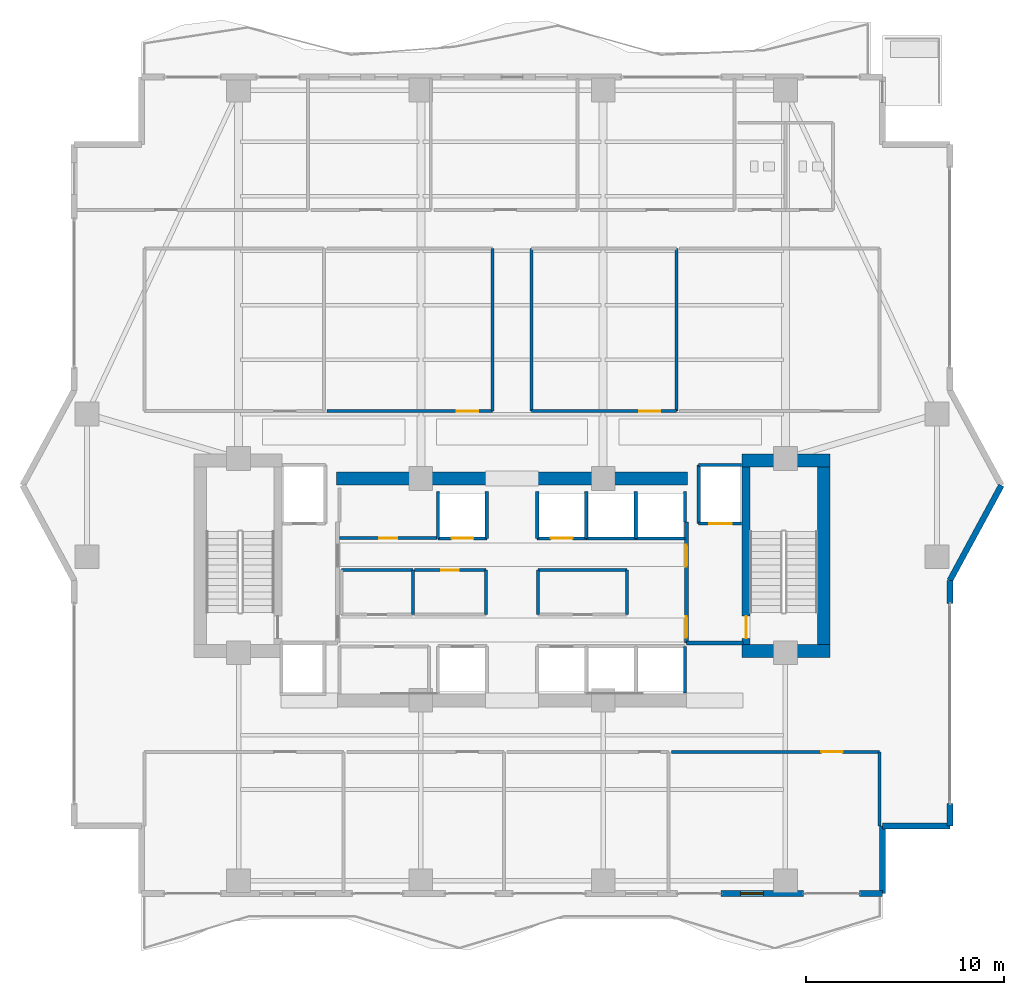
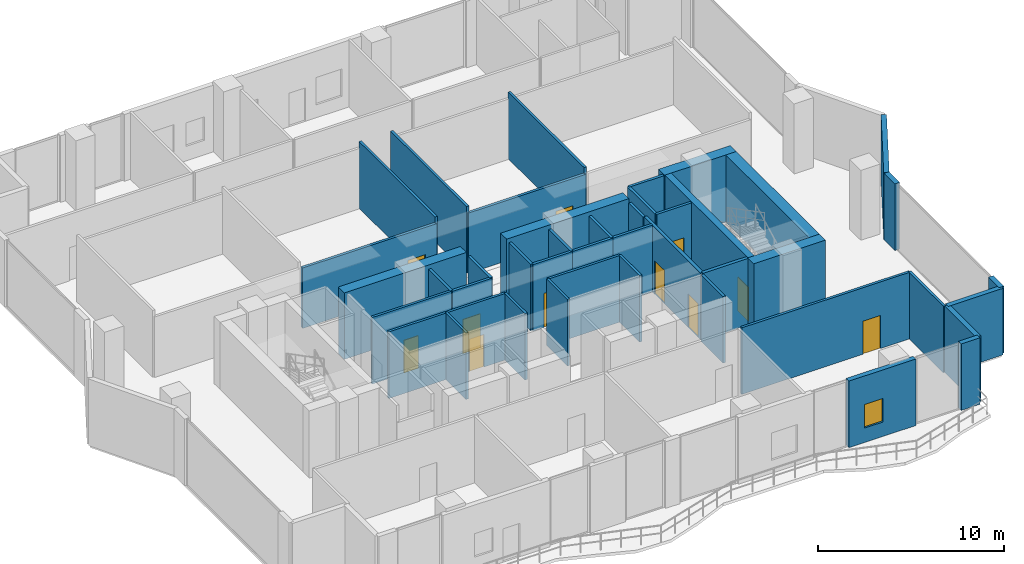
# One storey, part 25 of 31: 44 walls, 11 doors, 1 window, 12 openings.
"""IFC4 building model written with IfcOpenShell, lengths in metres."""

from ifc_helpers import new_model, si_unit, direction, frame, frame_2d, origin, place, context, subcontext, project, spatial, rectangle, extrude, material, layer, layer_set, type_object, element, fill, save


model = new_model("IFC4")

# Units and contexts
model_context = context("Model", 3, precision=1e-05, world=origin(), true_north=direction((0.0, 1.0)))
body_context = subcontext(model_context, "Body", "Model", "MODEL_VIEW")
ifc_project = project(units=[si_unit("LENGTHUNIT", "METRE"), si_unit("AREAUNIT", "SQUARE_METRE"), si_unit("VOLUMEUNIT", "CUBIC_METRE"), si_unit("PLANEANGLEUNIT", "RADIAN"), si_unit("MASSUNIT", "GRAM", prefix="KILO")], contexts=[model_context])

# Site, building, storey
site_placement = place(None, origin())
site = spatial("IfcSite", under=ifc_project, at=site_placement, CompositionType="ELEMENT")
building_placement = place(site_placement, origin())
building = spatial("IfcBuilding", under=site, at=building_placement, Name="Zuhayl Quay Hotel", CompositionType="ELEMENT")
storey_placement = place(building_placement, frame((0.0, 0.0, 172.800048828125)))
storey = spatial("IfcBuildingStorey", under=building, at=storey_placement, Name="L43", CompositionType="ELEMENT", Elevation=172.800048828125)

# Walls
ifc_material_1 = material(Name="Concrete C50/60", Category="concrete")
ifc_layer_1 = layer(ifc_material_1, 0.64990234375, Name="Concrete C50/60", Category="concrete")
ifc_layer_set_1 = layer_set([ifc_layer_1], Name="Concrete C50/60")
wall_type_1 = type_object("IfcWallType", Name="WL_CORE_650", PredefinedType="SHEAR", material=ifc_layer_set_1)
wall_1_placement = place(storey_placement, frame((11.60009765625, 14.2548828125, 0.0), z_axis=(0.0, 0.0, 1.0), x_axis=(1.0, 0.0, 0.0)))
element("IfcWall", 1, at=wall_1_placement, inside=storey, type_object=wall_type_1, Name="L43 Core Shear Wall CW_NE", PredefinedType="SHEAR", context=body_context, shape_type="SweptSolid", body=[
    extrude(rectangle(XDim=4.4599609375, YDim=0.64990234375, at=frame_2d((2.22998046875, 0.0))), origin(), (0.0, 0.0, 1.0), 4.409912109375),
])
wall_2_placement = place(storey_placement, frame((15.735107421875, 4.969970703125, 0.0), z_axis=(0.0, 0.0, 1.0), x_axis=(0.0, 1.0, 0.0)))
element("IfcWall", 2, at=wall_2_placement, inside=storey, type_object=wall_type_1, Name="L43 Core Shear Wall CW_E", PredefinedType="SHEAR", context=body_context, shape_type="SweptSolid", body=[
    extrude(rectangle(XDim=8.9599609375, YDim=0.64990234375, at=frame_2d((4.47998046875, 0.0))), origin(), (0.0, 0.0, 1.0), 4.409912109375),
])
wall_3_placement = place(storey_placement, frame((11.60009765625, 4.64501953125, 0.0), z_axis=(0.0, 0.0, 1.0), x_axis=(1.0, 0.0, 0.0)))
element("IfcWall", 3, at=wall_3_placement, inside=storey, type_object=wall_type_1, Name="L43 Core Shear Wall CW_SE", PredefinedType="SHEAR", context=body_context, shape_type="SweptSolid", body=[
    extrude(rectangle(XDim=4.4599609375, YDim=0.64990234375, at=frame_2d((2.22998046875, 0.0))), origin(), (0.0, 0.0, 1.0), 4.409912109375),
])
for number, where, z_axis, x_axis, name in (
    (4, (-8.85009765625, 13.35009765625, 0.0), (0.0, 0.0, 1.0), (1.0, 0.0, 0.0), "L43 Core Shear Wall CW_NC_W"),
    (5, (1.25, 13.35009765625, 0.0), (0.0, 0.0, 1.0), (1.0, 0.0, 0.0), "L43 Core Shear Wall CW_NC_E"),
):
    element("IfcWall", number, at=place(storey_placement, frame(where, z_axis=z_axis, x_axis=x_axis)), inside=storey, type_object=wall_type_1, Name=name, PredefinedType="SHEAR", context=body_context, shape_type="SweptSolid", body=[
        extrude(rectangle(XDim=7.60009765625, YDim=0.64990234375, at=frame_2d((3.800048828125, 0.0))), origin(), (0.0, 0.0, 1.0), 4.3798828125),
    ])
ifc_material_2 = material(Name="Precast concrete C45/55", Category="concrete")
ifc_layer_2 = layer(ifc_material_2, 0.300048828125, Name="Precast concrete C45/55", Category="concrete")
ifc_layer_set_2 = layer_set([ifc_layer_2], Name="Precast concrete C45/55")
wall_type_2 = type_object("IfcWallType", Name="WL_EXT_300", PredefinedType="STANDARD", material=ifc_layer_set_2)
wall_4_placement = place(storey_placement, frame((24.699951171875, 13.0, 0.0), z_axis=(0.0, 0.0, 1.0), x_axis=(-0.476258655584, -0.879305233114, 0.0)))
element("IfcWall", 6, at=wall_4_placement, inside=storey, type_object=wall_type_2, Name="L43 Exterior Precast Wall ENV_L43_EW13", PredefinedType="STANDARD", context=body_context, shape_type="SweptSolid", body=[
    extrude(rectangle(XDim=5.458984375, YDim=0.300048828125, at=frame_2d((2.7294921875, 0.0))), origin(), (0.0, 0.0, 1.0), 4.3798828125),
])
for number, where, z_axis, x_axis, name in (
    (7, (22.10009765625, 8.199951171875, 0.0), (0.0, 0.0, 1.0), (0.0, -1.0, 0.0), "L43 Exterior Precast Wall ENV_L43_E14_EW1"),
    (8, (22.10009765625, -3.050048828125, 0.0), (0.0, 0.0, 1.0), (0.0, -1.0, 0.0), "L43 Exterior Precast Wall ENV_L43_E14_EW2"),
):
    element("IfcWall", number, at=place(storey_placement, frame(where, z_axis=z_axis, x_axis=x_axis)), inside=storey, type_object=wall_type_2, Name=name, PredefinedType="STANDARD", context=body_context, shape_type="SweptSolid", body=[
        extrude(rectangle(XDim=1.14990234375, YDim=0.300048828125, at=frame_2d((0.574951171875, 0.0))), origin(), (0.0, 0.0, 1.0), 4.3798828125),
    ])
for number, where, z_axis, x_axis, name in (
    (9, (22.10009765625, -4.199951171875, 0.0), (0.0, 0.0, 1.0), (-1.0, 0.0, 0.0), "L43 Exterior Precast Wall ENV_L43_EW15"),
    (10, (18.699951171875, -4.199951171875, 0.0), (0.0, 0.0, 1.0), (0.0, -1.0, 0.0), "L43 Exterior Precast Wall ENV_L43_EW16"),
):
    element("IfcWall", number, at=place(storey_placement, frame(where, z_axis=z_axis, x_axis=x_axis)), inside=storey, type_object=wall_type_2, Name=name, PredefinedType="STANDARD", context=body_context, shape_type="SweptSolid", body=[
        extrude(rectangle(XDim=3.400146484375, YDim=0.300048828125, at=frame_2d((1.7001953125, 0.0))), origin(), (0.0, 0.0, 1.0), 4.3798828125),
    ])
wall_5_placement = place(storey_placement, frame((18.699951171875, -7.60009765625, 0.0), z_axis=(0.0, 0.0, 1.0), x_axis=(-1.0, 0.0, 0.0)))
element("IfcWall", 11, at=wall_5_placement, inside=storey, type_object=wall_type_2, Name="L43 Exterior Precast Wall ENV_L43_S_EW1", PredefinedType="STANDARD", context=body_context, shape_type="SweptSolid", body=[
    extrude(rectangle(XDim=1.14990234375, YDim=0.300048828125, at=frame_2d((0.574951171875, 0.0))), origin(), (0.0, 0.0, 1.0), 4.3798828125),
])

# Wall, opening, window
wall_6_placement = place(storey_placement, frame((14.719970703125, -7.60009765625, 0.0), z_axis=(0.0, 0.0, 1.0), x_axis=(-1.0, 0.0, 0.0)))
wall_6 = element("IfcWall", 12, at=wall_6_placement, inside=storey, type_object=wall_type_2, Name="L43 Exterior Precast Wall ENV_L43_S_EW2", PredefinedType="STANDARD", context=body_context, shape_type="SweptSolid", body=[
    extrude(rectangle(XDim=4.169921875, YDim=0.300048828125, at=frame_2d((2.0849609375, 0.0))), origin(), (0.0, 0.0, 1.0), 4.3798828125),
])
opening_1_placement = place(wall_6_placement, frame((2.034912109375, 0.0, 0.949951171875)))
opening_1 = element("IfcOpeningElement", 13, at=opening_1_placement, cuts=wall_6, Name="Opening W01N", PredefinedType="OPENING", context=body_context, shape_type="SweptSolid", body=[
    extrude(rectangle(XDim=1.14990234375, YDim=1.550048828125, at=frame_2d((0.574951171875, 0.77490234375))), frame((0.0, 0.159912109375, 0.0), z_axis=(0.0, -1.0, 0.0), x_axis=(1.0, 0.0, 0.0)), (0.0, 0.0, 1.0), 0.320068359375),
])
ifc_material_3 = material(Name="Dark Ceramic-Fritted Solar Glass", Category="glass")
window_type = type_object("IfcWindowType", Name="WN_NOTCH_1350", PartitioningType="SINGLE_PANEL", PredefinedType="WINDOW", material=ifc_material_3)
window_placement = place(opening_1_placement, origin())
window = element("IfcWindow", 14, at=window_placement, inside=storey, type_object=window_type, Name="L43 Operable Facade Window 2-1", OverallHeight=1.550048828125, OverallWidth=1.14990234375, PartitioningType="SINGLE_PANEL", PredefinedType="WINDOW", context=body_context, shape_type="SweptSolid", body=[
    extrude(rectangle(XDim=1.14990234375, YDim=1.550048828125, at=frame_2d((0.574951171875, 0.77490234375))), frame((0.0, 0.030029296875, 0.0), z_axis=(0.0, -1.0, 0.0), x_axis=(1.0, 0.0, 0.0)), (0.0, 0.0, 1.0), 0.06005859375),
])
fill(opening_1, window)

# Wall, opening, door
ifc_material_4 = material(Name="Acoustic Gypsum Partition STC-58")
ifc_layer_3 = layer(ifc_material_4, 0.14990234375, Name="Acoustic Gypsum Partition STC-58")
ifc_layer_set_3 = layer_set([ifc_layer_3], Name="Acoustic Gypsum Partition STC-58")
wall_type_3 = type_object("IfcWallType", Name="WL_PART_150", PredefinedType="PARTITIONING", material=ifc_layer_set_3)
wall_7_placement = place(storey_placement, frame((-8.7099609375, 10.340087890625, 0.0), z_axis=(0.0, 0.0, 1.0), x_axis=(1.0, 0.0, 0.0)))
wall_7 = element("IfcWall", 15, at=wall_7_placement, inside=storey, type_object=wall_type_3, Name="L43 Partition IW_L43_FLP_N_S", PredefinedType="PARTITIONING", context=body_context, shape_type="SweptSolid", body=[
    extrude(rectangle(XDim=4.919921875, YDim=0.14990234375, at=frame_2d((2.4599609375, 0.0))), origin(), (0.0, 0.0, 1.0), 4.3798828125),
])
opening_2_placement = place(wall_7_placement, frame((2.010009765625, 0.0, 0.0)))
opening_2 = element("IfcOpeningElement", 16, at=opening_2_placement, cuts=wall_7, Name="Opening D06", PredefinedType="OPENING", context=body_context, shape_type="SweptSolid", body=[
    extrude(rectangle(XDim=0.89990234375, YDim=2.14990234375, at=frame_2d((0.449951171875, 1.074951171875))), frame((0.0, 0.0849609375, 0.0), z_axis=(0.0, -1.0, 0.0), x_axis=(1.0, 0.0, 0.0)), (0.0, 0.0, 1.0), 0.169921875),
])
ifc_material_5 = material(Name="Steel ASTM A992 Grade 50", Category="steel")
door_type_1 = type_object("IfcDoorType", Name="DR_INT_900", OperationType="NOTDEFINED", PredefinedType="DOOR", material=ifc_material_5)
door_1_placement = place(opening_2_placement, origin())
door_1 = element("IfcDoor", 17, at=door_1_placement, inside=storey, type_object=door_type_1, Name="L43 Sky-Zone Valet Store Door", OperationType="SINGLE_SWING_RIGHT", OverallHeight=2.14990234375, OverallWidth=0.89990234375, PredefinedType="DOOR", context=body_context, shape_type="SweptSolid", body=[
    extrude(rectangle(XDim=0.89990234375, YDim=2.14990234375, at=frame_2d((0.449951171875, 1.074951171875))), frame((0.0, 0.02490234375, 0.0), z_axis=(0.0, -1.0, 0.0), x_axis=(1.0, 0.0, 0.0)), (0.0, 0.0, 1.0), 0.050048828125),
])
fill(opening_2, door_1)

wall_8_placement = place(storey_placement, frame((-4.929931640625, 8.719970703125, 0.0), z_axis=(0.0, 0.0, 1.0), x_axis=(1.0, 0.0, 0.0)))
wall_8 = element("IfcWall", 18, at=wall_8_placement, inside=storey, type_object=wall_type_3, Name="L43 Partition IW_L43_CORE_BM_N", PredefinedType="PARTITIONING", context=body_context, shape_type="SweptSolid", body=[
    extrude(rectangle(XDim=3.60986328125, YDim=0.14990234375, at=frame_2d((1.804931640625, 0.0))), origin(), (0.0, 0.0, 1.0), 4.3798828125),
])
opening_3_placement = place(wall_8_placement, frame((1.35498046875, 0.0, 0.0)))
opening_3 = element("IfcOpeningElement", 19, at=opening_3_placement, cuts=wall_8, Name="Opening D06", PredefinedType="OPENING", context=body_context, shape_type="SweptSolid", body=[
    extrude(rectangle(XDim=0.89990234375, YDim=2.14990234375, at=frame_2d((0.449951171875, 1.074951171875))), frame((0.0, 0.0849609375, 0.0), z_axis=(0.0, -1.0, 0.0), x_axis=(1.0, 0.0, 0.0)), (0.0, 0.0, 1.0), 0.169921875),
])
door_2_placement = place(opening_3_placement, origin())
door_2 = element("IfcDoor", 20, at=door_2_placement, inside=storey, type_object=door_type_1, Name="L43 Telecom and BMS Closet Door", OperationType="SINGLE_SWING_RIGHT", OverallHeight=2.14990234375, OverallWidth=0.89990234375, PredefinedType="DOOR", context=body_context, shape_type="SweptSolid", body=[
    extrude(rectangle(XDim=0.89990234375, YDim=2.14990234375, at=frame_2d((0.449951171875, 1.074951171875))), frame((0.0, 0.02490234375, 0.0), z_axis=(0.0, -1.0, 0.0), x_axis=(1.0, 0.0, 0.0)), (0.0, 0.0, 1.0), 0.050048828125),
])
fill(opening_3, door_2)

# Walls
wall_9_placement = place(storey_placement, frame((-8.610107421875, 8.719970703125, 0.0), z_axis=(0.0, 0.0, 1.0), x_axis=(1.0, 0.0, 0.0)))
element("IfcWall", 21, at=wall_9_placement, inside=storey, type_object=wall_type_3, Name="L43 Partition IW_L43_CORE_SW_N", PredefinedType="PARTITIONING", context=body_context, shape_type="SweptSolid", body=[
    extrude(rectangle(XDim=3.6201171875, YDim=0.14990234375, at=frame_2d((1.81005859375, 0.0))), origin(), (0.0, 0.0, 1.0), 4.3798828125),
])
for number, where, z_axis, x_axis, name in (
    (22, (-4.989990234375, 6.47998046875, 0.0), (0.0, 0.0, 1.0), (0.0, 1.0, 0.0), "L43 Partition IW_L43_CORE_SW_E"),
    (23, (-1.320068359375, 6.47998046875, 0.0), (0.0, 0.0, 1.0), (0.0, 1.0, 0.0), "L43 Partition IW_L43_CORE_BM_E"),
):
    element("IfcWall", number, at=place(storey_placement, frame(where, z_axis=z_axis, x_axis=x_axis)), inside=storey, type_object=wall_type_3, Name=name, PredefinedType="PARTITIONING", context=body_context, shape_type="SweptSolid", body=[
        extrude(rectangle(XDim=2.239990234375, YDim=0.14990234375, at=frame_2d((1.1201171875, 0.0))), origin(), (0.0, 0.0, 1.0), 4.3798828125),
    ])
wall_10_placement = place(storey_placement, frame((1.320068359375, 8.719970703125, 0.0), z_axis=(0.0, 0.0, 1.0), x_axis=(1.0, 0.0, 0.0)))
element("IfcWall", 24, at=wall_10_placement, inside=storey, type_object=wall_type_3, Name="L43 Partition IW_L43_CORE_PN_N", PredefinedType="PARTITIONING", context=body_context, shape_type="SweptSolid", body=[
    extrude(rectangle(XDim=4.489990234375, YDim=0.14990234375, at=frame_2d((2.2451171875, 0.0))), origin(), (0.0, 0.0, 1.0), 4.3798828125),
])
for number, where, z_axis, x_axis, name in (
    (25, (1.320068359375, 6.47998046875, 0.0), (0.0, 0.0, 1.0), (0.0, 1.0, 0.0), "L43 Partition IW_L43_CORE_PN_W"),
    (26, (5.81005859375, 6.47998046875, 0.0), (0.0, 0.0, 1.0), (0.0, 1.0, 0.0), "L43 Partition IW_L43_CORE_PN_E"),
):
    element("IfcWall", number, at=place(storey_placement, frame(where, z_axis=z_axis, x_axis=x_axis)), inside=storey, type_object=wall_type_3, Name=name, PredefinedType="PARTITIONING", context=body_context, shape_type="SweptSolid", body=[
        extrude(rectangle(XDim=2.239990234375, YDim=0.14990234375, at=frame_2d((1.1201171875, 0.0))), origin(), (0.0, 0.0, 1.0), 4.3798828125),
    ])
for number, where, z_axis, x_axis, name in (
    (27, (-0.97998046875, 16.75, 0.0), (0.0, 0.0, 1.0), (0.0, 1.0, 0.0), "L43 Partition IW_L43_GYM_W2_E"),
    (28, (0.97998046875, 16.75, 0.0), (0.0, 0.0, 1.0), (0.0, 1.0, 0.0), "L43 Partition IW_L43_TREAT_1_W"),
    (29, (8.300048828125, 16.75, 0.0), (0.0, 0.0, 1.0), (0.0, 1.0, 0.0), "L43 Partition IW_L43_TREAT_1_E"),
):
    element("IfcWall", number, at=place(storey_placement, frame(where, z_axis=z_axis, x_axis=x_axis)), inside=storey, type_object=wall_type_3, Name=name, PredefinedType="PARTITIONING", context=body_context, shape_type="SweptSolid", body=[
        extrude(rectangle(XDim=8.199951171875, YDim=0.14990234375, at=frame_2d((4.10009765625, 0.0))), origin(), (0.0, 0.0, 1.0), 4.3798828125),
    ])
wall_11_placement = place(storey_placement, frame((18.550048828125, -4.199951171875, 0.0), z_axis=(0.0, 0.0, 1.0), x_axis=(0.0, 1.0, 0.0)))
element("IfcWall", 30, at=wall_11_placement, inside=storey, type_object=wall_type_3, Name="L43 Partition IW_L43_LINEN_43_E", PredefinedType="PARTITIONING", context=body_context, shape_type="SweptSolid", body=[
    extrude(rectangle(XDim=3.75, YDim=0.14990234375, at=frame_2d((1.875, 0.0))), origin(), (0.0, 0.0, 1.0), 4.3798828125),
])

# Wall, opening, door
ifc_layer_4 = layer(ifc_material_4, 0.159912109375, Name="Acoustic Gypsum Partition STC-58")
ifc_layer_set_4 = layer_set([ifc_layer_4], Name="Acoustic Gypsum Partition STC-58")
wall_type_4 = type_object("IfcWallType", Name="WL_PART_CORR_160", PredefinedType="PARTITIONING", material=ifc_layer_set_4)
wall_12_placement = place(storey_placement, frame((-9.340087890625, 16.75, 0.0), z_axis=(0.0, 0.0, 1.0), x_axis=(1.0, 0.0, 0.0)))
wall_12 = element("IfcWall", 31, at=wall_12_placement, inside=storey, type_object=wall_type_4, Name="L43 Partition IW_L43_GYM_W2_S", PredefinedType="PARTITIONING", context=body_context, shape_type="SweptSolid", body=[
    extrude(rectangle(XDim=8.360107421875, YDim=0.159912109375, at=frame_2d((4.18017578125, 0.0))), origin(), (0.0, 0.0, 1.0), 3.973876953125),
])
opening_4_placement = place(wall_12_placement, frame((6.550048828125, 0.0, 0.0)))
opening_4 = element("IfcOpeningElement", 32, at=opening_4_placement, cuts=wall_12, Name="Opening D05A", PredefinedType="OPENING", context=body_context, shape_type="SweptSolid", body=[
    extrude(rectangle(XDim=1.080078125, YDim=2.179931640625, at=frame_2d((0.5400390625, 1.08984375))), frame((0.0, 0.08984375, 0.0), z_axis=(0.0, -1.0, 0.0), x_axis=(1.0, 0.0, 0.0)), (0.0, 0.0, 1.0), 0.179931640625),
])
ifc_material_6 = material(Name="Solid Walnut Acoustic Fire Door")
door_type_2 = type_object("IfcDoorType", Name="DR_INT_1100", OperationType="NOTDEFINED", PredefinedType="DOOR", material=ifc_material_6)
door_3_placement = place(opening_4_placement, origin())
door_3 = element("IfcDoor", 33, at=door_3_placement, inside=storey, type_object=door_type_2, Name="L43 Strength Training Salon Door", OperationType="SINGLE_SWING_LEFT", OverallHeight=2.179931640625, OverallWidth=1.080078125, PredefinedType="DOOR", context=body_context, shape_type="SweptSolid", body=[
    extrude(rectangle(XDim=1.080078125, YDim=2.179931640625, at=frame_2d((0.5400390625, 1.08984375))), frame((0.0, 0.02490234375, 0.0), z_axis=(0.0, -1.0, 0.0), x_axis=(1.0, 0.0, 0.0)), (0.0, 0.0, 1.0), 0.050048828125),
])
fill(opening_4, door_3)

wall_13_placement = place(storey_placement, frame((0.97998046875, 16.75, 0.0), z_axis=(0.0, 0.0, 1.0), x_axis=(1.0, 0.0, 0.0)))
wall_13 = element("IfcWall", 34, at=wall_13_placement, inside=storey, type_object=wall_type_4, Name="L43 Partition IW_L43_TREAT_1_S", PredefinedType="PARTITIONING", context=body_context, shape_type="SweptSolid", body=[
    extrude(rectangle(XDim=7.320068359375, YDim=0.159912109375, at=frame_2d((3.66015625, 0.0))), origin(), (0.0, 0.0, 1.0), 3.973876953125),
])
opening_5_placement = place(wall_13_placement, frame((5.429931640625, 0.0, 0.0)))
opening_5 = element("IfcOpeningElement", 35, at=opening_5_placement, cuts=wall_13, Name="Opening D05A", PredefinedType="OPENING", context=body_context, shape_type="SweptSolid", body=[
    extrude(rectangle(XDim=1.080078125, YDim=2.179931640625, at=frame_2d((0.5400390625, 1.08984375))), frame((0.0, 0.08984375, 0.0), z_axis=(0.0, -1.0, 0.0), x_axis=(1.0, 0.0, 0.0)), (0.0, 0.0, 1.0), 0.179931640625),
])
door_4_placement = place(opening_5_placement, origin())
door_4 = element("IfcDoor", 36, at=door_4_placement, inside=storey, type_object=door_type_2, Name="L43 Holistic Spa Salon Door", OperationType="SINGLE_SWING_RIGHT", OverallHeight=2.179931640625, OverallWidth=1.080078125, PredefinedType="DOOR", context=body_context, shape_type="SweptSolid", body=[
    extrude(rectangle(XDim=1.080078125, YDim=2.179931640625, at=frame_2d((0.5400390625, 1.08984375))), frame((0.0, 0.02490234375, 0.0), z_axis=(0.0, -1.0, 0.0), x_axis=(1.0, 0.0, 0.0)), (0.0, 0.0, 1.0), 0.050048828125),
])
fill(opening_5, door_4)

wall_14_placement = place(storey_placement, frame((8.06005859375, -0.449951171875, 0.0), z_axis=(0.0, 0.0, 1.0), x_axis=(1.0, 0.0, 0.0)))
wall_14 = element("IfcWall", 37, at=wall_14_placement, inside=storey, type_object=wall_type_4, Name="L43 Partition IW_L43_LINEN_43_N", PredefinedType="PARTITIONING", context=body_context, shape_type="SweptSolid", body=[
    extrude(rectangle(XDim=10.489990234375, YDim=0.159912109375, at=frame_2d((5.2451171875, 0.0))), origin(), (0.0, 0.0, 1.0), 4.3798828125),
])
opening_6_placement = place(wall_14_placement, frame((7.550048828125, 0.0, 0.0)))
opening_6 = element("IfcOpeningElement", 38, at=opening_6_placement, cuts=wall_14, Name="Opening D05A", PredefinedType="OPENING", context=body_context, shape_type="SweptSolid", body=[
    extrude(rectangle(XDim=1.080078125, YDim=2.179931640625, at=frame_2d((0.5400390625, 1.08984375))), frame((0.0, 0.08984375, 0.0), z_axis=(0.0, -1.0, 0.0), x_axis=(1.0, 0.0, 0.0)), (0.0, 0.0, 1.0), 0.179931640625),
])
door_5_placement = place(opening_6_placement, origin())
door_5 = element("IfcDoor", 39, at=door_5_placement, inside=storey, type_object=door_type_2, Name="L43 Spa Housekeeping and Linen Room Door", OperationType="SINGLE_SWING_LEFT", OverallHeight=2.179931640625, OverallWidth=1.080078125, PredefinedType="DOOR", context=body_context, shape_type="SweptSolid", body=[
    extrude(rectangle(XDim=1.080078125, YDim=2.179931640625, at=frame_2d((0.5400390625, 1.08984375))), frame((0.0, 0.02490234375, 0.0), z_axis=(0.0, -1.0, 0.0), x_axis=(1.0, 0.0, 0.0)), (0.0, 0.0, 1.0), 0.050048828125),
])
fill(opening_6, door_5)

ifc_material_7 = material(Name="Gypsum Fireboard Assembly EI-90")
ifc_layer_5 = layer(ifc_material_7, 0.1650390625, Name="Gypsum Fireboard Assembly EI-90")
ifc_layer_set_5 = layer_set([ifc_layer_5], Name="Gypsum Fireboard Assembly EI-90")
wall_type_5 = type_object("IfcWallType", Name="WL_PART_SHAFT_160", PredefinedType="PARTITIONING", material=ifc_layer_set_5)
wall_15_placement = place(storey_placement, frame((9.419921875, 11.070068359375, 0.0), z_axis=(0.0, 0.0, 1.0), x_axis=(1.0, 0.0, 0.0)))
wall_15 = element("IfcWall", 40, at=wall_15_placement, inside=storey, type_object=wall_type_5, Name="L43 Partition IW_L43_SH_FL2_F", PredefinedType="PARTITIONING", context=body_context, shape_type="SweptSolid", body=[
    extrude(rectangle(XDim=2.16015625, YDim=0.1650390625, at=frame_2d((1.080078125, 0.0))), origin(), (0.0, 0.0, 1.0), 4.3798828125),
])
opening_7_placement = place(wall_15_placement, frame((0.530029296875, 0.0, 0.0)))
opening_7 = element("IfcOpeningElement", 41, at=opening_7_placement, cuts=wall_15, Name="Opening LD2", PredefinedType="OPENING", context=body_context, shape_type="SweptSolid", body=[
    extrude(rectangle(XDim=1.14990234375, YDim=2.25, at=frame_2d((0.574951171875, 1.125))), frame((0.0, 0.092529296875, 0.0), z_axis=(0.0, -1.0, 0.0), x_axis=(1.0, 0.0, 0.0)), (0.0, 0.0, 1.0), 0.18505859375),
])
ifc_material_8 = material(Name="Brushed Stainless Steel", Category="steel")
door_type_3 = type_object("IfcDoorType", Name="DR_LIFT_FF_1100", OperationType="SLIDING_TO_LEFT", PredefinedType="DOOR", material=ifc_material_8)
door_6_placement = place(opening_7_placement, origin())
door_6 = element("IfcDoor", 42, at=door_6_placement, inside=storey, type_object=door_type_3, Name="L43 Lift FL2 Sliding Landing Door", OperationType="SLIDING_TO_LEFT", OverallHeight=2.25, OverallWidth=1.14990234375, PredefinedType="DOOR", context=body_context, shape_type="SweptSolid", body=[
    extrude(rectangle(XDim=1.14990234375, YDim=2.25, at=frame_2d((0.574951171875, 1.125))), frame((0.0, 0.02490234375, 0.0), z_axis=(0.0, -1.0, 0.0), x_axis=(1.0, 0.0, 0.0)), (0.0, 0.0, 1.0), 0.050048828125),
])
fill(opening_7, door_6)

wall_16_placement = place(storey_placement, frame((-3.72998046875, 10.320068359375, 0.0), z_axis=(0.0, 0.0, 1.0), x_axis=(1.0, 0.0, 0.0)))
wall_16 = element("IfcWall", 43, at=wall_16_placement, inside=storey, type_object=wall_type_5, Name="L43 Partition IW_L43_SH_MP3_F", PredefinedType="PARTITIONING", context=body_context, shape_type="SweptSolid", body=[
    extrude(rectangle(XDim=2.4599609375, YDim=0.1650390625, at=frame_2d((1.22998046875, 0.0))), origin(), (0.0, 0.0, 1.0), 4.3798828125),
])
opening_8_placement = place(wall_16_placement, frame((0.679931640625, 0.0, 0.0)))
opening_8 = element("IfcOpeningElement", 44, at=opening_8_placement, cuts=wall_16, Name="Opening LD1", PredefinedType="OPENING", context=body_context, shape_type="SweptSolid", body=[
    extrude(rectangle(XDim=1.10009765625, YDim=2.25, at=frame_2d((0.550048828125, 1.125))), frame((0.0, 0.092529296875, 0.0), z_axis=(0.0, -1.0, 0.0), x_axis=(1.0, 0.0, 0.0)), (0.0, 0.0, 1.0), 0.18505859375),
])
door_type_4 = type_object("IfcDoorType", Name="DR_LIFT_PASS_1100", OperationType="SLIDING_TO_LEFT", PredefinedType="DOOR", material=ifc_material_8)
door_7_placement = place(opening_8_placement, origin())
door_7 = element("IfcDoor", 45, at=door_7_placement, inside=storey, type_object=door_type_4, Name="L43 Lift MP3 Sliding Landing Door", OperationType="SLIDING_TO_LEFT", OverallHeight=2.25, OverallWidth=1.10009765625, PredefinedType="DOOR", context=body_context, shape_type="SweptSolid", body=[
    extrude(rectangle(XDim=1.10009765625, YDim=2.25, at=frame_2d((0.550048828125, 1.125))), frame((0.0, 0.02490234375, 0.0), z_axis=(0.0, -1.0, 0.0), x_axis=(1.0, 0.0, 0.0)), (0.0, 0.0, 1.0), 0.050048828125),
])
fill(opening_8, door_7)

wall_17_placement = place(storey_placement, frame((1.27001953125, 10.320068359375, 0.0), z_axis=(0.0, 0.0, 1.0), x_axis=(1.0, 0.0, 0.0)))
wall_17 = element("IfcWall", 46, at=wall_17_placement, inside=storey, type_object=wall_type_5, Name="L43 Partition IW_L43_SH_MP4_F", PredefinedType="PARTITIONING", context=body_context, shape_type="SweptSolid", body=[
    extrude(rectangle(XDim=2.47998046875, YDim=0.1650390625, at=frame_2d((1.239990234375, 0.0))), origin(), (0.0, 0.0, 1.0), 4.3798828125),
])
opening_9_placement = place(wall_17_placement, frame((0.68994140625, 0.0, 0.0)))
opening_9 = element("IfcOpeningElement", 47, at=opening_9_placement, cuts=wall_17, Name="Opening LD1", PredefinedType="OPENING", context=body_context, shape_type="SweptSolid", body=[
    extrude(rectangle(XDim=1.10009765625, YDim=2.25, at=frame_2d((0.550048828125, 1.125))), frame((0.0, 0.092529296875, 0.0), z_axis=(0.0, -1.0, 0.0), x_axis=(1.0, 0.0, 0.0)), (0.0, 0.0, 1.0), 0.18505859375),
])
door_8_placement = place(opening_9_placement, origin())
door_8 = element("IfcDoor", 48, at=door_8_placement, inside=storey, type_object=door_type_4, Name="L43 Lift MP4 Sliding Landing Door", OperationType="SLIDING_TO_LEFT", OverallHeight=2.25, OverallWidth=1.10009765625, PredefinedType="DOOR", context=body_context, shape_type="SweptSolid", body=[
    extrude(rectangle(XDim=1.10009765625, YDim=2.25, at=frame_2d((0.550048828125, 1.125))), frame((0.0, 0.02490234375, 0.0), z_axis=(0.0, -1.0, 0.0), x_axis=(1.0, 0.0, 0.0)), (0.0, 0.0, 1.0), 0.050048828125),
])
fill(opening_9, door_8)

# Walls
wall_18_placement = place(storey_placement, frame((9.419921875, 11.070068359375, 0.0), z_axis=(0.0, 0.0, 1.0), x_axis=(0.0, 1.0, 0.0)))
element("IfcWall", 49, at=wall_18_placement, inside=storey, type_object=wall_type_5, Name="L43 Partition IW_L43_SH_FL2_W", PredefinedType="PARTITIONING", context=body_context, shape_type="SweptSolid", body=[
    extrude(rectangle(XDim=2.9599609375, YDim=0.1650390625, at=frame_2d((1.47998046875, 0.0))), origin(), (0.0, 0.0, 1.0), 4.3798828125),
])
wall_19_placement = place(storey_placement, frame((9.419921875, 14.030029296875, 0.0), z_axis=(0.0, 0.0, 1.0), x_axis=(1.0, 0.0, 0.0)))
element("IfcWall", 50, at=wall_19_placement, inside=storey, type_object=wall_type_5, Name="L43 Partition IW_L43_SH_FL2_B", PredefinedType="PARTITIONING", context=body_context, shape_type="SweptSolid", body=[
    extrude(rectangle(XDim=2.16015625, YDim=0.1650390625, at=frame_2d((1.080078125, 0.0))), origin(), (0.0, 0.0, 1.0), 4.3798828125),
])
for number, where, z_axis, x_axis, name in (
    (51, (-3.72998046875, 10.320068359375, 0.0), (0.0, 0.0, 1.0), (0.0, 1.0, 0.0), "L43 Partition IW_L43_SH_MP3_W"),
    (52, (-1.27001953125, 10.320068359375, 0.0), (0.0, 0.0, 1.0), (0.0, 1.0, 0.0), "L43 Partition IW_L43_SH_MP3_E"),
    (53, (1.27001953125, 10.320068359375, 0.0), (0.0, 0.0, 1.0), (0.0, 1.0, 0.0), "L43 Partition IW_L43_SH_MP4_W"),
    (54, (3.75, 10.320068359375, 0.0), (0.0, 0.0, 1.0), (0.0, 1.0, 0.0), "L43 Partition IW_L43_SH_MP4_E"),
    (55, (8.72998046875, 2.52001953125, 0.0), (0.0, 0.0, 1.0), (0.0, 1.0, 0.0), "L43 Partition IW_L43_SH_HP2_E"),
):
    element("IfcWall", number, at=place(storey_placement, frame(where, z_axis=z_axis, x_axis=x_axis)), inside=storey, type_object=wall_type_5, Name=name, PredefinedType="PARTITIONING", context=body_context, shape_type="SweptSolid", body=[
        extrude(rectangle(XDim=2.35986328125, YDim=0.1650390625, at=frame_2d((1.179931640625, 0.0))), origin(), (0.0, 0.0, 1.0), 4.3798828125),
    ])
wall_20_placement = place(storey_placement, frame((3.75, 10.320068359375, 0.0), z_axis=(0.0, 0.0, 1.0), x_axis=(1.0, 0.0, 0.0)))
element("IfcWall", 56, at=wall_20_placement, inside=storey, type_object=wall_type_5, Name="L43 Partition IW_L43_SH_HP3_F", PredefinedType="PARTITIONING", context=body_context, shape_type="SweptSolid", body=[
    extrude(rectangle(XDim=2.5, YDim=0.1650390625, at=frame_2d((1.25, 0.0))), origin(), (0.0, 0.0, 1.0), 4.3798828125),
])
wall_21_placement = place(storey_placement, frame((6.25, 10.320068359375, 0.0), z_axis=(0.0, 0.0, 1.0), x_axis=(0.0, 1.0, 0.0)))
element("IfcWall", 57, at=wall_21_placement, inside=storey, type_object=wall_type_5, Name="L43 Partition IW_L43_SH_HP3_E", PredefinedType="PARTITIONING", context=body_context, shape_type="SweptSolid", body=[
    extrude(rectangle(XDim=2.35986328125, YDim=0.1650390625, at=frame_2d((1.179931640625, 0.0))), origin(), (0.0, 0.0, 1.0), 4.3798828125),
])
wall_22_placement = place(storey_placement, frame((6.25, 10.320068359375, 0.0), z_axis=(0.0, 0.0, 1.0), x_axis=(1.0, 0.0, 0.0)))
element("IfcWall", 58, at=wall_22_placement, inside=storey, type_object=wall_type_5, Name="L43 Partition IW_L43_SH_HP4_F", PredefinedType="PARTITIONING", context=body_context, shape_type="SweptSolid", body=[
    extrude(rectangle(XDim=2.47998046875, YDim=0.1650390625, at=frame_2d((1.239990234375, 0.0))), origin(), (0.0, 0.0, 1.0), 4.3798828125),
])
wall_23_placement = place(storey_placement, frame((8.72998046875, 11.14990234375, 0.0), z_axis=(0.0, 0.0, 1.0), x_axis=(0.0, 1.0, 0.0)))
element("IfcWall", 59, at=wall_23_placement, inside=storey, type_object=wall_type_5, Name="L43 Partition IW_L43_SH_HP4_E", PredefinedType="PARTITIONING", context=body_context, shape_type="SweptSolid", body=[
    extrude(rectangle(XDim=1.530029296875, YDim=0.1650390625, at=frame_2d((0.76513671875, 0.0))), origin(), (0.0, 0.0, 1.0), 4.3798828125),
])

# Wall, openings, doors
ifc_material_9 = material(Name="Gypsum Fireboard Assembly EI-120")
ifc_layer_6 = layer(ifc_material_9, 0.199951171875, Name="Gypsum Fireboard Assembly EI-120")
ifc_layer_set_6 = layer_set([ifc_layer_6], Name="Gypsum Fireboard Assembly EI-120")
wall_type_6 = type_object("IfcWallType", Name="WL_PART_SHAFT_200", PredefinedType="PARTITIONING", material=ifc_layer_set_6)
wall_24_placement = place(storey_placement, frame((8.800048828125, 11.14990234375, 0.0), z_axis=(0.0, 0.0, 1.0), x_axis=(0.0, -1.0, 0.0)))
wall_24 = element("IfcWall", 60, at=wall_24_placement, inside=storey, type_object=wall_type_6, Name="L43 Partition IW_L43_FSAE_E_W", PredefinedType="PARTITIONING", context=body_context, shape_type="SweptSolid", body=[
    extrude(rectangle(XDim=6.099853515625, YDim=0.199951171875, at=frame_2d((3.0498046875, 0.0))), origin(), (0.0, 0.0, 1.0), 4.3798828125),
])
opening_10_placement = place(wall_24_placement, frame((1.14990234375, 0.0, 0.0)))
opening_10 = element("IfcOpeningElement", 61, at=opening_10_placement, cuts=wall_24, Name="Opening D02", PredefinedType="OPENING", context=body_context, shape_type="SweptSolid", body=[
    extrude(rectangle(XDim=1.10009765625, YDim=2.199951171875, at=frame_2d((0.550048828125, 1.10009765625))), frame((0.0, 0.10986328125, 0.0), z_axis=(0.0, -1.0, 0.0), x_axis=(1.0, 0.0, 0.0)), (0.0, 0.0, 1.0), 0.219970703125),
])
opening_11_placement = place(wall_24_placement, frame((4.75, 0.0, 0.0)))
opening_11 = element("IfcOpeningElement", 62, at=opening_11_placement, cuts=wall_24, Name="Opening D02", PredefinedType="OPENING", context=body_context, shape_type="SweptSolid", body=[
    extrude(rectangle(XDim=1.10009765625, YDim=2.199951171875, at=frame_2d((0.550048828125, 1.10009765625))), frame((0.0, 0.10986328125, 0.0), z_axis=(0.0, -1.0, 0.0), x_axis=(1.0, 0.0, 0.0)), (0.0, 0.0, 1.0), 0.219970703125),
])
door_type_5 = type_object("IfcDoorType", Name="DR_FIRE_90_1100", OperationType="NOTDEFINED", PredefinedType="DOOR", material=ifc_material_5)
door_9_placement = place(opening_10_placement, origin())
door_9 = element("IfcDoor", 63, at=door_9_placement, inside=storey, type_object=door_type_5, Name="L43 FSAE Lobby East North Entry Door", OperationType="SINGLE_SWING_LEFT", OverallHeight=2.199951171875, OverallWidth=1.10009765625, PredefinedType="DOOR", context=body_context, shape_type="SweptSolid", body=[
    extrude(rectangle(XDim=1.10009765625, YDim=2.199951171875, at=frame_2d((0.550048828125, 1.10009765625))), frame((0.0, 0.02490234375, 0.0), z_axis=(0.0, -1.0, 0.0), x_axis=(1.0, 0.0, 0.0)), (0.0, 0.0, 1.0), 0.050048828125),
])
fill(opening_10, door_9)
door_10_placement = place(opening_11_placement, origin())
door_10 = element("IfcDoor", 64, at=door_10_placement, inside=storey, type_object=door_type_5, Name="L43 FSAE Lobby East South Entry Door", OperationType="SINGLE_SWING_RIGHT", OverallHeight=2.199951171875, OverallWidth=1.10009765625, PredefinedType="DOOR", context=body_context, shape_type="SweptSolid", body=[
    extrude(rectangle(XDim=1.10009765625, YDim=2.199951171875, at=frame_2d((0.550048828125, 1.10009765625))), frame((0.0, 0.02490234375, 0.0), z_axis=(0.0, -1.0, 0.0), x_axis=(1.0, 0.0, 0.0)), (0.0, 0.0, 1.0), 0.050048828125),
])
fill(opening_11, door_10)

# Wall
wall_25_placement = place(storey_placement, frame((8.800048828125, 5.050048828125, 0.0), z_axis=(0.0, 0.0, 1.0), x_axis=(1.0, 0.0, 0.0)))
element("IfcWall", 65, at=wall_25_placement, inside=storey, type_object=wall_type_6, Name="L43 Partition IW_L43_FSAE_E_S", PredefinedType="PARTITIONING", context=body_context, shape_type="SweptSolid", body=[
    extrude(rectangle(XDim=2.849853515625, YDim=0.199951171875, at=frame_2d((1.4248046875, 0.0))), origin(), (0.0, 0.0, 1.0), 4.3798828125),
])

# Wall, opening, door
ifc_material_10 = material(Name="Concrete C60/75", Category="concrete")
ifc_layer_7 = layer(ifc_material_10, 0.39990234375, Name="Concrete C60/75", Category="concrete")
ifc_layer_set_7 = layer_set([ifc_layer_7], Name="Concrete C60/75")
wall_type_7 = type_object("IfcWallType", Name="WL_STAIR_400", PredefinedType="SHEAR", material=ifc_layer_set_7)
wall_26_placement = place(storey_placement, frame((11.820068359375, 13.929931640625, 0.0), z_axis=(0.0, 0.0, 1.0), x_axis=(0.0, -1.0, 0.0)))
wall_26 = element("IfcWall", 66, at=wall_26_placement, inside=storey, type_object=wall_type_7, Name="L43 Core Shear Wall SW_ST2", PredefinedType="SHEAR", context=body_context, shape_type="SweptSolid", body=[
    extrude(rectangle(XDim=8.9599609375, YDim=0.39990234375, at=frame_2d((4.47998046875, 0.0))), origin(), (0.0, 0.0, 1.0), 4.409912109375),
])
opening_12_placement = place(wall_26_placement, frame((7.530029296875, 0.0, 0.0)))
opening_12 = element("IfcOpeningElement", 67, at=opening_12_placement, cuts=wall_26, Name="Opening D01", PredefinedType="OPENING", context=body_context, shape_type="SweptSolid", body=[
    extrude(rectangle(XDim=1.1201171875, YDim=2.219970703125, at=frame_2d((0.56005859375, 1.10986328125))), frame((0.0, 0.2099609375, 0.0), z_axis=(0.0, -1.0, 0.0), x_axis=(1.0, 0.0, 0.0)), (0.0, 0.0, 1.0), 0.419921875),
])
door_type_6 = type_object("IfcDoorType", Name="DR_STAIR_90_1100", OperationType="NOTDEFINED", PredefinedType="DOOR", material=ifc_material_5)
door_11_placement = place(opening_12_placement, origin())
door_11 = element("IfcDoor", 68, at=door_11_placement, inside=storey, type_object=door_type_6, Name="L43 Smokeproof Exit Stair ST2 Door", OperationType="SINGLE_SWING_RIGHT", OverallHeight=2.219970703125, OverallWidth=1.1201171875, PredefinedType="DOOR", context=body_context, shape_type="SweptSolid", body=[
    extrude(rectangle(XDim=1.1201171875, YDim=2.219970703125, at=frame_2d((0.56005859375, 1.10986328125))), frame((0.0, 0.02490234375, 0.0), z_axis=(0.0, -1.0, 0.0), x_axis=(1.0, 0.0, 0.0)), (0.0, 0.0, 1.0), 0.050048828125),
])
fill(opening_12, door_11)

save(model, "model.ifc")
